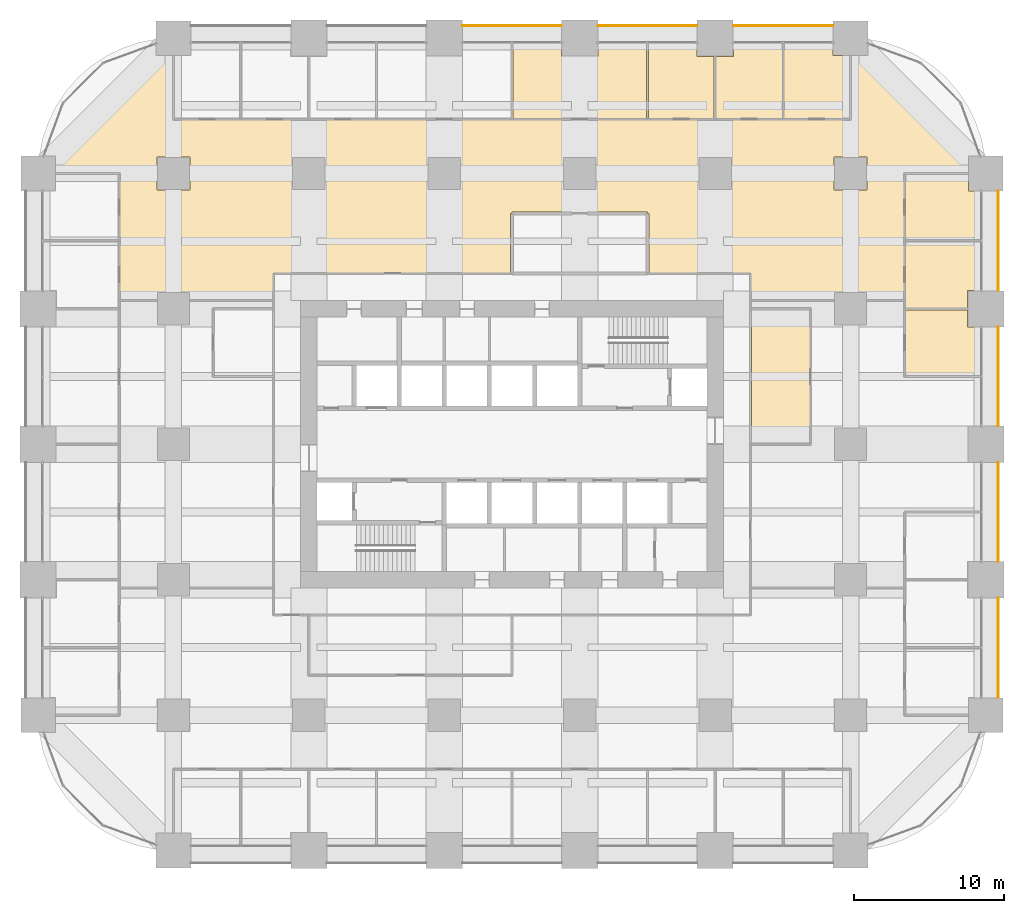
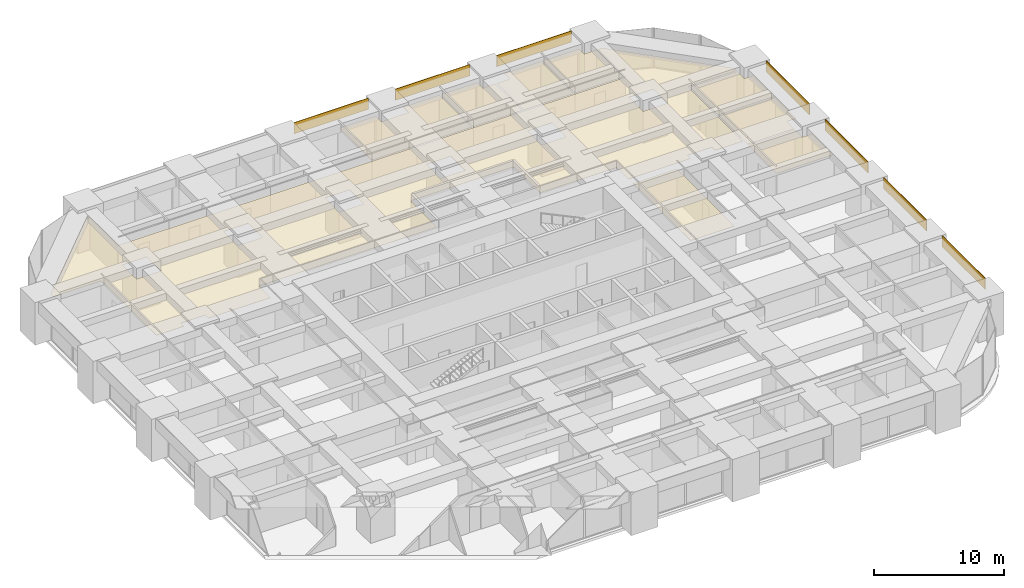
# One storey, part 45 of 45: 16 coverings.
"""IFC4 building model written with IfcOpenShell, lengths in metres."""

from ifc_helpers import new_model, si_unit, direction, frame, frame_2d, origin, place, context, subcontext, project, spatial, polyline, rectangle, outline, extrude, material, layer, layer_set, type_object, element, save


model = new_model("IFC4")

# Units and contexts
model_context = context("Model", 3, precision=1e-05, world=origin(), true_north=direction((0.0, 1.0)))
body_context = subcontext(model_context, "Body", "Model", "MODEL_VIEW")
ifc_project = project(units=[si_unit("LENGTHUNIT", "METRE"), si_unit("AREAUNIT", "SQUARE_METRE"), si_unit("VOLUMEUNIT", "CUBIC_METRE"), si_unit("PLANEANGLEUNIT", "RADIAN"), si_unit("MASSUNIT", "GRAM", prefix="KILO")], contexts=[model_context])

# Site, building, storey
site_placement = place(None, origin())
site = spatial("IfcSite", under=ifc_project, at=site_placement, CompositionType="ELEMENT")
building_placement = place(site_placement, origin())
building = spatial("IfcBuilding", under=site, at=building_placement, Name="Zorevar Civic Tower", CompositionType="ELEMENT")
storey_placement = place(building_placement, frame((0.0, 0.0, 71.800048828125)))
storey = spatial("IfcBuildingStorey", under=building, at=storey_placement, Name="L17", CompositionType="ELEMENT", Elevation=71.800048828125)

# Coverings
ifc_material_1 = material(Name="Black anodised aluminium spandrel panel", Category="aluminium")
ifc_layer_1 = layer(ifc_material_1, 0.050048828125)
ifc_layer_set_1 = layer_set([ifc_layer_1], Name="Spandrel cladding SP1")
covering_type_1 = type_object("IfcCoveringType", Name="Spandrel cladding SP1", PredefinedType="CLADDING", material=ifc_layer_set_1)
for number, where, z_axis, x_axis, name in (
    (1, (28.199951171875, 54.824951171875, 2.949951171875), (0.0, 0.0, 1.0), (1.0, 0.0, 0.0), "Spandrel cladding L18"),
    (2, (37.199951171875, 54.824951171875, 2.949951171875), (0.0, 0.0, 1.0), (1.0, 0.0, 0.0), "Spandrel cladding L18"),
):
    element("IfcCovering", number, at=place(storey_placement, frame(where, z_axis=z_axis, x_axis=x_axis)), inside=storey, type_object=covering_type_1, Name=name, PredefinedType="CLADDING", context=body_context, shape_type="SweptSolid", body=[
        extrude(rectangle(XDim=6.60009765625, YDim=0.050048828125, at=frame_2d((3.300048828125, 0.0))), origin(), (0.0, 0.0, 1.0), 1.050048828125),
    ])
for number, where, z_axis, x_axis, name in (
    (3, (46.199951171875, 54.824951171875, 2.949951171875), (0.0, 0.0, 1.0), (1.0, 0.0, 0.0), "Spandrel cladding L18"),
    (4, (63.824951171875, 10.14990234375, 2.949951171875), (0.0, 0.0, 1.0), (0.0, 1.0, 0.0), "Spandrel cladding L18"),
):
    element("IfcCovering", number, at=place(storey_placement, frame(where, z_axis=z_axis, x_axis=x_axis)), inside=storey, type_object=covering_type_1, Name=name, PredefinedType="CLADDING", context=body_context, shape_type="SweptSolid", body=[
        extrude(rectangle(XDim=6.650146484375, YDim=0.050048828125, at=frame_2d((3.3251953125, 0.0))), origin(), (0.0, 0.0, 1.0), 1.050048828125),
    ])
for number, where, z_axis, x_axis, name in (
    (5, (63.824951171875, 19.199951171875, 2.949951171875), (0.0, 0.0, 1.0), (0.0, 1.0, 0.0), "Spandrel cladding L18"),
    (6, (63.824951171875, 28.199951171875, 2.949951171875), (0.0, 0.0, 1.0), (0.0, 1.0, 0.0), "Spandrel cladding L18"),
):
    element("IfcCovering", number, at=place(storey_placement, frame(where, z_axis=z_axis, x_axis=x_axis)), inside=storey, type_object=covering_type_1, Name=name, PredefinedType="CLADDING", context=body_context, shape_type="SweptSolid", body=[
        extrude(rectangle(XDim=6.60009765625, YDim=0.050048828125, at=frame_2d((3.300048828125, 0.0))), origin(), (0.0, 0.0, 1.0), 1.050048828125),
    ])
covering_1_placement = place(storey_placement, frame((63.824951171875, 37.199951171875, 2.949951171875), z_axis=(0.0, 0.0, 1.0), x_axis=(0.0, 1.0, 0.0)))
element("IfcCovering", 7, at=covering_1_placement, inside=storey, type_object=covering_type_1, Name="Spandrel cladding L18", PredefinedType="CLADDING", context=body_context, shape_type="SweptSolid", body=[
    extrude(rectangle(XDim=6.650146484375, YDim=0.050048828125, at=frame_2d((3.3251953125, 0.0))), origin(), (0.0, 0.0, 1.0), 1.050048828125),
])
ifc_material_2 = material(Name="Mineral fibre tiles on a concealed grid")
ifc_layer_2 = layer(ifc_material_2, 0.02001953125)
ifc_layer_set_2 = layer_set([ifc_layer_2], Name="Suspended ceiling SC1")
covering_type_2 = type_object("IfcCoveringType", Name="Suspended ceiling SC1", PredefinedType="CEILING", material=ifc_layer_set_2)
covering_2_placement = place(storey_placement, frame((0.0, 0.0, 3.0)))
element("IfcCovering", 8, at=covering_2_placement, inside=storey, type_object=covering_type_2, Name="Ceiling L17-29", PredefinedType="CEILING", context=body_context, shape_type="SweptSolid", body=[
    extrude(outline(polyline([(31.56005859375, 48.659912109375), (31.56005859375, 53.64990234375), (34.7900390625, 53.64990234375), (34.7900390625, 52.7900390625), (37.2099609375, 52.7900390625), (37.2099609375, 53.64990234375), (40.43994140625, 53.64990234375), (40.43994140625, 48.659912109375), (31.56005859375, 48.659912109375)])), origin(), (0.0, 0.0, 1.0), 0.02001953125),
])
covering_3_placement = place(storey_placement, frame((0.0, 0.0, 3.0)))
element("IfcCovering", 9, at=covering_3_placement, inside=storey, type_object=covering_type_2, Name="Ceiling L17-30", PredefinedType="CEILING", context=body_context, shape_type="SweptSolid", body=[
    extrude(outline(polyline([(40.56005859375, 48.659912109375), (40.56005859375, 53.64990234375), (43.7900390625, 53.64990234375), (43.7900390625, 52.7900390625), (44.93994140625, 52.7900390625), (44.93994140625, 48.659912109375), (40.56005859375, 48.659912109375)])), origin(), (0.0, 0.0, 1.0), 0.02001953125),
])
covering_4_placement = place(storey_placement, frame((0.0, 0.0, 3.0)))
element("IfcCovering", 10, at=covering_4_placement, inside=storey, type_object=covering_type_2, Name="Ceiling L17-31", PredefinedType="CEILING", context=body_context, shape_type="SweptSolid", body=[
    extrude(outline(polyline([(45.06005859375, 48.659912109375), (45.06005859375, 52.7900390625), (46.2099609375, 52.7900390625), (46.2099609375, 53.64990234375), (49.465087890625, 53.64990234375), (49.465087890625, 48.659912109375), (45.06005859375, 48.659912109375)])), origin(), (0.0, 0.0, 1.0), 0.02001953125),
])
covering_5_placement = place(storey_placement, frame((0.0, 0.0, 3.0)))
element("IfcCovering", 11, at=covering_5_placement, inside=storey, type_object=covering_type_2, Name="Ceiling L17-32", PredefinedType="CEILING", context=body_context, shape_type="SweptSolid", body=[
    extrude(outline(polyline([(49.5849609375, 48.659912109375), (49.5849609375, 53.64990234375), (52.840087890625, 53.64990234375), (52.840087890625, 52.840087890625), (53.93994140625, 52.840087890625), (53.93994140625, 48.659912109375), (49.5849609375, 48.659912109375)])), origin(), (0.0, 0.0, 1.0), 0.02001953125),
])
covering_6_placement = place(storey_placement, frame((0.0, 0.0, 3.0)))
element("IfcCovering", 12, at=covering_6_placement, inside=storey, type_object=covering_type_2, Name="Ceiling L17-42", PredefinedType="CEILING", context=body_context, shape_type="SweptSolid", body=[
    extrude(outline(polyline([(57.659912109375, 35.93994140625), (61.7900390625, 35.93994140625), (61.7900390625, 34.7900390625), (62.64990234375, 34.7900390625), (62.64990234375, 31.56005859375), (57.659912109375, 31.56005859375), (57.659912109375, 35.93994140625)])), origin(), (0.0, 0.0, 1.0), 0.02001953125),
])
covering_7_placement = place(storey_placement, frame((0.0, 0.0, 3.0)))
element("IfcCovering", 13, at=covering_7_placement, inside=storey, type_object=covering_type_2, Name="Ceiling L17-43", PredefinedType="CEILING", context=body_context, shape_type="SweptSolid", body=[
    extrude(outline(polyline([(57.659912109375, 40.465087890625), (62.64990234375, 40.465087890625), (62.64990234375, 37.2099609375), (61.7900390625, 37.2099609375), (61.7900390625, 36.06005859375), (57.659912109375, 36.06005859375), (57.659912109375, 40.465087890625)])), origin(), (0.0, 0.0, 1.0), 0.02001953125),
])
covering_8_placement = place(storey_placement, frame((0.0, 0.0, 3.0)))
element("IfcCovering", 14, at=covering_8_placement, inside=storey, type_object=covering_type_2, Name="Ceiling L17-44", PredefinedType="CEILING", context=body_context, shape_type="SweptSolid", body=[
    extrude(outline(polyline([(57.659912109375, 44.93994140625), (61.840087890625, 44.93994140625), (61.840087890625, 43.840087890625), (62.64990234375, 43.840087890625), (62.64990234375, 40.5849609375), (57.659912109375, 40.5849609375), (57.659912109375, 44.93994140625)])), origin(), (0.0, 0.0, 1.0), 0.02001953125),
])
covering_9_placement = place(storey_placement, frame((0.0, 0.0, 3.0)))
element("IfcCovering", 15, at=covering_9_placement, inside=storey, type_object=covering_type_2, Name="Ceiling L17-47", PredefinedType="CEILING", context=body_context, shape_type="SweptSolid", body=[
    extrude(outline(polyline([(51.300048828125, 27.06005859375), (47.409912109375, 27.06005859375), (47.409912109375, 35.93994140625), (51.300048828125, 35.93994140625), (51.300048828125, 27.06005859375)])), origin(), (0.0, 0.0, 1.0), 0.02001953125),
])
covering_10_placement = place(storey_placement, frame((0.0, 0.0, 3.0)))
element("IfcCovering", 16, at=covering_10_placement, inside=storey, type_object=covering_type_2, Name="Ceiling L17-51", PredefinedType="CEILING", context=body_context, shape_type="SweptSolid", body=[
    extrude(outline(polyline([(57.60009765625, 45.06005859375), (57.60009765625, 45.0), (57.5400390625, 45.0), (57.5400390625, 36.60009765625), (55.0849609375, 36.60009765625), (55.0849609375, 37.0849609375), (52.9150390625, 37.0849609375), (52.9150390625, 36.60009765625), (47.39990234375, 36.60009765625), (47.39990234375, 38.35009765625), (47.35009765625, 38.35009765625), (47.35009765625, 38.39990234375), (40.60009765625, 38.39990234375), (40.60009765625, 42.35009765625), (40.5, 42.35009765625), (40.5, 42.449951171875), (31.5, 42.449951171875), (31.5, 42.35009765625), (31.39990234375, 42.35009765625), (31.39990234375, 38.39990234375), (15.64990234375, 38.39990234375), (15.64990234375, 38.35009765625), (15.60009765625, 38.35009765625), (15.60009765625, 36.60009765625), (10.0849609375, 36.60009765625), (10.0849609375, 37.0849609375), (7.9150390625, 37.0849609375), (7.9150390625, 36.60009765625), (5.4599609375, 36.60009765625), (5.4599609375, 45.0), (5.39990234375, 45.0), (5.39990234375, 45.06005859375), (1.159912109375, 45.06005859375), (1.159912109375, 45.452880859375), (8.547119140625, 52.840087890625), (8.93994140625, 52.840087890625), (8.93994140625, 48.60009765625), (9.0, 48.60009765625), (9.0, 48.5400390625), (54.0, 48.5400390625), (54.0, 48.60009765625), (54.06005859375, 48.60009765625), (54.06005859375, 52.840087890625), (54.452880859375, 52.840087890625), (61.840087890625, 45.452880859375), (61.840087890625, 45.06005859375), (57.60009765625, 45.06005859375)]), holes=[polyline([(10.0849609375, 43.9150390625), (10.0849609375, 46.0849609375), (7.9150390625, 46.0849609375), (7.9150390625, 43.9150390625), (10.0849609375, 43.9150390625)]), polyline([(16.9150390625, 46.0849609375), (16.9150390625, 43.9150390625), (19.0849609375, 43.9150390625), (19.0849609375, 46.0849609375), (16.9150390625, 46.0849609375)]), polyline([(28.0849609375, 46.0849609375), (25.9150390625, 46.0849609375), (25.9150390625, 43.9150390625), (28.0849609375, 43.9150390625), (28.0849609375, 46.0849609375)]), polyline([(37.0849609375, 43.9150390625), (37.0849609375, 46.0849609375), (34.9150390625, 46.0849609375), (34.9150390625, 43.9150390625), (37.0849609375, 43.9150390625)]), polyline([(43.9150390625, 43.9150390625), (46.0849609375, 43.9150390625), (46.0849609375, 46.0849609375), (43.9150390625, 46.0849609375), (43.9150390625, 43.9150390625)]), polyline([(55.0849609375, 46.0849609375), (52.9150390625, 46.0849609375), (52.9150390625, 43.9150390625), (55.0849609375, 43.9150390625), (55.0849609375, 46.0849609375)])]), origin(), (0.0, 0.0, 1.0), 0.02001953125),
])

save(model, "model.ifc")
